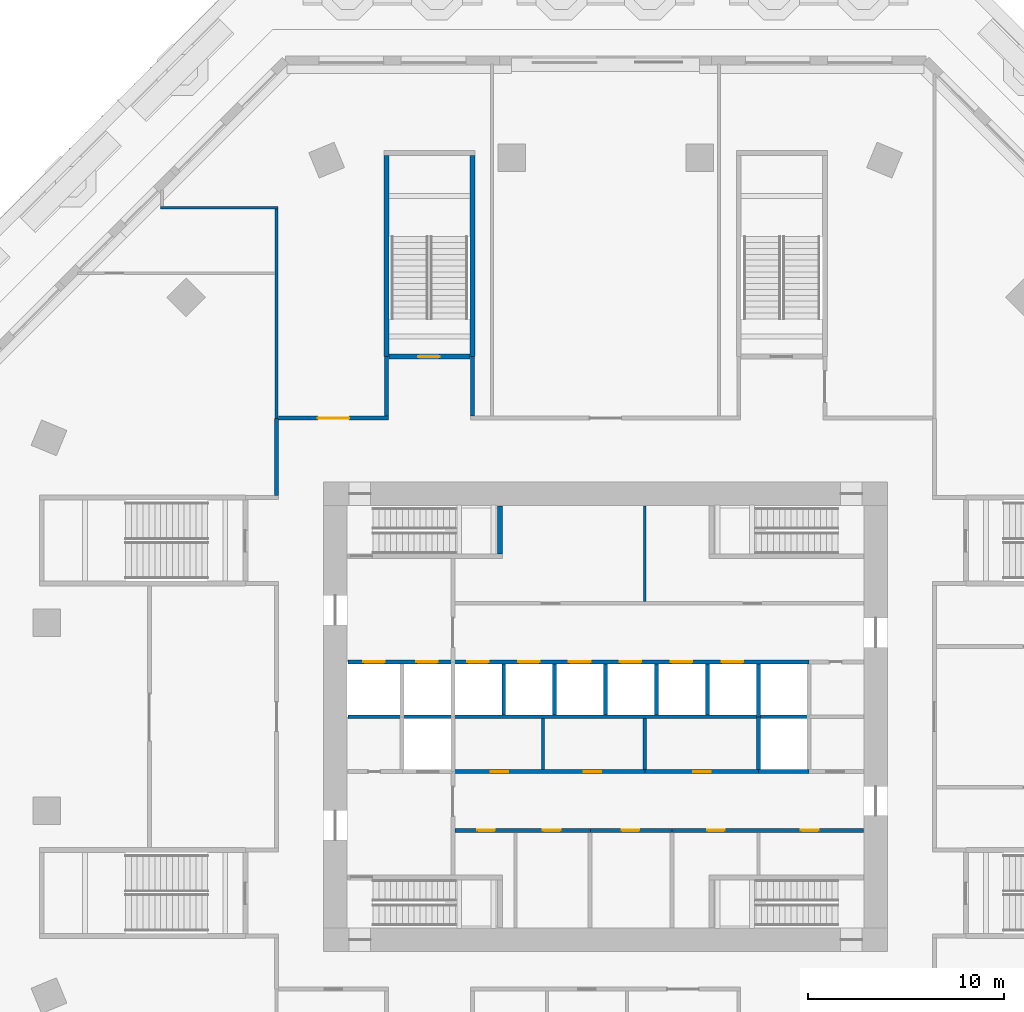
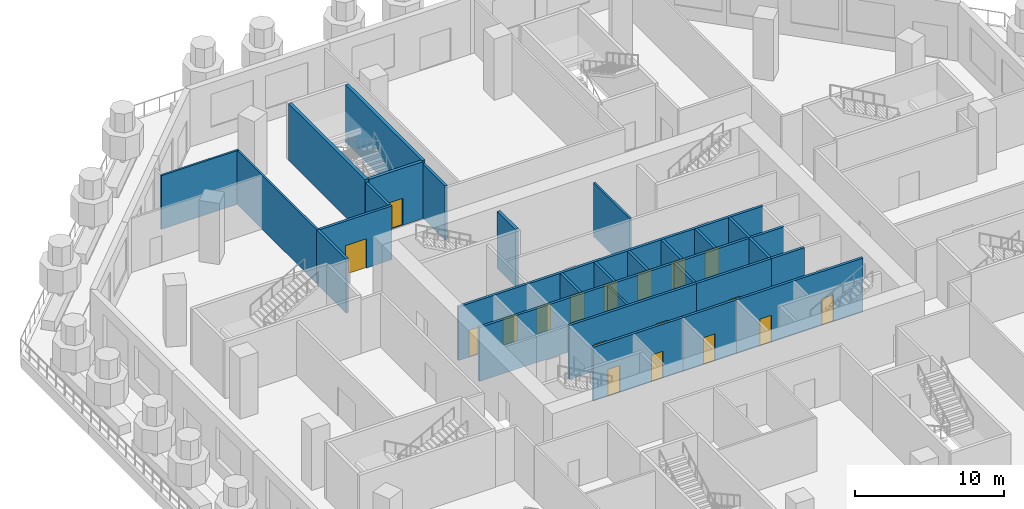
# One storey, part 6 of 13: 28 walls, 18 doors, 18 openings.
"""IFC4 building model written with IfcOpenShell, lengths in metres."""

import ifcopenshell
import ifcopenshell.guid

model = None  # the IFC model being written
_history = None  # IfcOwnerHistory: only IFC2X3 demands one
_inside = {}  # id of a spatial element -> (the spatial element, [elements in it])
_under = {}  # id of a project, library or spatial element -> (it, [spatial elements below it])
_declared = {}  # id of a project -> (the project, [libraries it declares])
_typed = {}  # id of a type object -> (the type object, [elements of that type])
_made_of = {}  # id of a material, layer set ... -> (it, [elements and type objects made of it])


def new_model(schema):
    """Start an empty IFC model of exactly this schema.

    Asked for "IFC4X3", IfcOpenShell would pick the latest addendum, in which some entities
    have other attributes; the version numbers below select the first issue.
    IFC2X3 requires an IfcOwnerHistory on every rooted entity: one is made here for all.
    """
    global model, _history
    if schema == "IFC4X3":
        model = ifcopenshell.file(schema_version=(4, 3, 0, 0))
    else:
        model = ifcopenshell.file(schema=schema)
    _inside.clear()
    _under.clear()
    _declared.clear()
    _typed.clear()
    _made_of.clear()
    _history = None
    if model.schema == "IFC2X3":
        org = make("IfcOrganization", Name="unknown")
        user = make(
            "IfcPersonAndOrganization",
            ThePerson=make("IfcPerson", FamilyName="unknown"),
            TheOrganization=org,
        )
        app = make(
            "IfcApplication",
            ApplicationDeveloper=org,
            Version="unknown",
            ApplicationFullName="unknown",
            ApplicationIdentifier="unknown",
        )
        _history = make(
            "IfcOwnerHistory",
            OwningUser=user,
            OwningApplication=app,
            ChangeAction="ADDED",
            CreationDate=0,
        )
    return model


def make(cls, **values):
    """One entity of the class cls with the attributes given. An attribute that is None is left unset."""
    return model.create_entity(
        cls, **{name: value for name, value in values.items() if value is not None}
    )


def rooted(cls, **values):
    """An entity with a GlobalId (a new one), such as an element, a storey or a relation."""
    return make(cls, GlobalId=ifcopenshell.guid.new(), OwnerHistory=_history, **values)


def si_unit(unit_type, name, prefix=None):
    """IfcSIUnit, for example si_unit("LENGTHUNIT", "METRE", prefix="MILLI")."""
    return make("IfcSIUnit", UnitType=unit_type, Prefix=prefix, Name=name)


def assignment(units):
    """IfcUnitAssignment: the units of a project."""
    return None if units is None else make("IfcUnitAssignment", Units=units)


def point(xyz):
    """IfcCartesianPoint."""
    return None if xyz is None else make("IfcCartesianPoint", Coordinates=xyz)


def direction(xyz):
    """IfcDirection."""
    return None if xyz is None else make("IfcDirection", DirectionRatios=xyz)


def frame(location, z_axis=None, x_axis=None):
    """IfcAxis2Placement3D, a coordinate frame: its origin and axes. An axis left out is left unset."""
    return make(
        "IfcAxis2Placement3D",
        Location=point(location),
        Axis=direction(z_axis),
        RefDirection=direction(x_axis),
    )


def frame_2d(location, x_axis=None):
    """IfcAxis2Placement2D, a coordinate frame in the plane: its origin and x axis."""
    return make(
        "IfcAxis2Placement2D", Location=point(location), RefDirection=direction(x_axis)
    )


def origin():
    """The frame at (0, 0, 0) with its axes left unset."""
    return frame((0.0, 0.0, 0.0))


def place(relative_to, where):
    """IfcLocalPlacement: puts the frame where relative to a parent placement (None: the world)."""
    return make(
        "IfcLocalPlacement", PlacementRelTo=relative_to, RelativePlacement=where
    )


def context(
    kind, dimensions, precision=None, world=None, true_north=None, identifier=None
):
    """IfcGeometricRepresentationContext, for example the 3D "Model" context."""
    return make(
        "IfcGeometricRepresentationContext",
        ContextIdentifier=identifier,
        ContextType=kind,
        CoordinateSpaceDimension=dimensions,
        Precision=precision,
        WorldCoordinateSystem=world,
        TrueNorth=true_north,
    )


def subcontext(parent, identifier, kind, view, scale=None):
    """IfcGeometricRepresentationSubContext, for example "Body" below "Model"."""
    return make(
        "IfcGeometricRepresentationSubContext",
        ContextIdentifier=identifier,
        ContextType=kind,
        ParentContext=parent,
        TargetScale=scale,
        TargetView=view,
    )


def project(units=None, contexts=None):
    """IfcProject with its units and contexts."""
    return rooted(
        "IfcProject",
        Name="project",
        RepresentationContexts=contexts,
        UnitsInContext=assignment(units),
    )


def spatial(cls, under=None, at=None, **own):
    """A site, building, storey or space (cls), placed at a placement, below another one or the project."""
    s = rooted(cls, ObjectPlacement=at, **own)
    if under is not None:
        _under.setdefault(under.id(), (under, []))[1].append(s)
    return s


def profile(cls, at=None, kind="AREA", **sizes):
    """A parametric profile (cls). Its sizes go by their IFC names, for example OverallWidth=200.0."""
    return make(cls, ProfileType=kind, Position=at, **sizes)


def rectangle(**sizes):
    """IfcRectangleProfileDef."""
    return profile("IfcRectangleProfileDef", **sizes)


def extrude(swept, where, along, depth):
    """IfcExtrudedAreaSolid: the profile swept, set in the frame where, extruded along a direction by depth."""
    return make(
        "IfcExtrudedAreaSolid",
        SweptArea=swept,
        Position=where,
        ExtrudedDirection=direction(along),
        Depth=depth,
    )


def shape(context_of_items, identifier, shape_type, items):
    """IfcShapeRepresentation: the items that make up one representation, for example the "Body"."""
    return make(
        "IfcShapeRepresentation",
        ContextOfItems=context_of_items,
        RepresentationIdentifier=identifier,
        RepresentationType=shape_type,
        Items=items,
    )


def material(Name=None, Category=None):
    """IfcMaterial."""
    return make("IfcMaterial", Name=Name, Category=Category)


def layer(
    of_material, thickness, ventilated=None, Name=None, Category=None, Priority=None
):
    """IfcMaterialLayer: one layer of a wall or slab, of a material (None: an air gap)."""
    return make(
        "IfcMaterialLayer",
        Material=of_material,
        LayerThickness=thickness,
        IsVentilated=ventilated,
        Name=Name,
        Category=Category,
        Priority=Priority,
    )


def layer_set(layers, Name=None):
    """IfcMaterialLayerSet."""
    return make("IfcMaterialLayerSet", MaterialLayers=layers, LayerSetName=Name)


def made_of(thing, what):
    """Note that an element or type object is made of a material, layer set ...; save() writes the relation."""
    if what is not None:
        _made_of.setdefault(what.id(), (what, []))[1].append(thing)
    return thing


def type_object(cls, material=None, **own):
    """A type object (cls), such as IfcWallType, which elements share."""
    return made_of(rooted(cls, **own), material)


def element(
    cls,
    number,
    at=None,
    inside=None,
    cuts=None,
    type_object=None,
    material=None,
    context=None,
    identifier="Body",
    shape_type=None,
    held_by="IfcProductDefinitionShape",
    body=None,
    shapes=None,
    **own,
):
    """One element of the class cls, such as IfcWall. Its Tag is "e" and its number.

    at: its placement. inside: the storey or other place that contains it. cuts: it is an
    opening in that element (IfcRelVoidsElement). A single representation is given by context,
    identifier, shape_type and body (its items); several are given by shapes. held_by: the class
    of the entity that holds the representations. save() writes the other relations.
    """
    e = rooted(cls, Tag="e%d" % number, ObjectPlacement=at, **own)
    if body is not None:
        shapes = [shape(context, identifier, shape_type, body)]
    if shapes is not None:
        e.Representation = make(held_by, Representations=shapes)
    if inside is not None:
        _inside.setdefault(inside.id(), (inside, []))[1].append(e)
    if cuts is not None:
        rooted(
            "IfcRelVoidsElement", RelatingBuildingElement=cuts, RelatedOpeningElement=e
        )
    if type_object is not None:
        _typed.setdefault(type_object.id(), (type_object, []))[1].append(e)
    return made_of(e, material)


def fill(opening, filler):
    """IfcRelFillsElement: the door or window that sits in an opening."""
    return rooted(
        "IfcRelFillsElement",
        RelatingOpeningElement=opening,
        RelatedBuildingElement=filler,
    )


def aggregate(whole, parts):
    """IfcRelAggregates: a whole, such as a stair, and the parts it consists of."""
    return rooted("IfcRelAggregates", RelatingObject=whole, RelatedObjects=parts)


def save(model, path):
    """Write the relations noted so far, then the file.

    IfcRelAggregates (storeys below a building ...), IfcRelContainedInSpatialStructure (elements
    in a storey), IfcRelDefinesByType, IfcRelAssociatesMaterial and IfcRelDeclares: one each for
    every whole, place, type object, material and project.
    """
    for whole, parts in _under.values():
        aggregate(whole, parts)
    for where, things in _inside.values():
        rooted(
            "IfcRelContainedInSpatialStructure",
            RelatedElements=things,
            RelatingStructure=where,
        )
    for kind, things in _typed.values():
        rooted("IfcRelDefinesByType", RelatedObjects=things, RelatingType=kind)
    for what, things in _made_of.values():
        rooted("IfcRelAssociatesMaterial", RelatedObjects=things, RelatingMaterial=what)
    for by, libraries in _declared.values():
        rooted("IfcRelDeclares", RelatingContext=by, RelatedDefinitions=libraries)
    model.write(path)


model = new_model("IFC4")

# Units and contexts
model_context = context("Model", 3, precision=1e-05, world=origin(), true_north=direction((0.0, 1.0)))
body_context = subcontext(model_context, "Body", "Model", "MODEL_VIEW")
ifc_project = project(units=[si_unit("LENGTHUNIT", "METRE"), si_unit("AREAUNIT", "SQUARE_METRE"), si_unit("VOLUMEUNIT", "CUBIC_METRE"), si_unit("PLANEANGLEUNIT", "RADIAN"), si_unit("MASSUNIT", "GRAM", prefix="KILO")], contexts=[model_context])

# Site, building, storey
site_placement = place(None, origin())
site = spatial("IfcSite", under=ifc_project, at=site_placement, CompositionType="ELEMENT")
building_placement = place(site_placement, origin())
building = spatial("IfcBuilding", under=site, at=building_placement, Name="Msitu Wima Residences", CompositionType="ELEMENT")
storey_placement = place(building_placement, frame((0.0, 0.0, 16.0)))
storey = spatial("IfcBuildingStorey", under=building, at=storey_placement, Name="L03", CompositionType="ELEMENT", Elevation=16.0)

# Wall
ifc_material_1 = material(Name="Plaster")
ifc_layer_1 = layer(ifc_material_1, 0.011962890625, Name="Plaster")
ifc_material_2 = material(Name="Concrete blockwork", Category="masonry")
ifc_layer_2 = layer(ifc_material_2, 0.176025390625, Name="Concrete blockwork")
ifc_layer_3 = layer(ifc_material_1, 0.011962890625, Name="Plaster")
ifc_layer_set_1 = layer_set([ifc_layer_1, ifc_layer_2, ifc_layer_3], Name="Concrete blockwork")
wall_type_1 = type_object("IfcWallType", Name="Corridor wall FW200", PredefinedType="PARTITIONING", material=ifc_layer_set_1)
wall_1_placement = place(storey_placement, frame((-16.800048828125, 11.300048828125, 0.0), z_axis=(0.0, 0.0, 1.0), x_axis=(0.0, 1.0, 0.0)))
element("IfcWall", 1, at=wall_1_placement, inside=storey, type_object=wall_type_1, Name="Corridor wall", PredefinedType="PARTITIONING", context=body_context, shape_type="SweptSolid", body=[
    extrude(rectangle(XDim=3.936767578125, YDim=0.199951171875, at=frame_2d((1.96826171875, 0.0))), origin(), (0.0, 0.0, 1.0), 4.39990234375),
])

# Wall, opening, door
wall_2_placement = place(storey_placement, frame((-16.699951171875, 15.2568359375, 0.0), z_axis=(0.0, 0.0, 1.0), x_axis=(1.0, 0.0, 0.0)))
wall_2 = element("IfcWall", 2, at=wall_2_placement, inside=storey, type_object=wall_type_1, Name="Corridor wall", PredefinedType="PARTITIONING", context=body_context, shape_type="SweptSolid", body=[
    extrude(rectangle(XDim=5.599853515625, YDim=0.199951171875, at=frame_2d((2.7998046875, 0.0))), origin(), (0.0, 0.0, 1.0), 4.39990234375),
])
opening_1_placement = place(wall_2_placement, frame((2.0, 0.0, 0.0)))
opening_1 = element("IfcOpeningElement", 3, at=opening_1_placement, cuts=wall_2, Name="Opening D03.033", PredefinedType="OPENING", context=body_context, shape_type="SweptSolid", body=[
    extrude(rectangle(XDim=1.60009765625, YDim=2.39990234375, at=frame_2d((0.800048828125, 1.199951171875))), frame((0.0, 0.10986328125, 0.0), z_axis=(0.0, -1.0, 0.0), x_axis=(1.0, 0.0, 0.0)), (0.0, 0.0, 1.0), 0.219970703125),
])
ifc_material_3 = material(Name="Black aluminium glazed door", Category="aluminium")
door_type_1 = type_object("IfcDoorType", Name="Amenity door D10 1600x2400", OperationType="DOUBLE_DOOR_SINGLE_SWING", PredefinedType="DOOR", material=ifc_material_3)
door_1_placement = place(opening_1_placement, origin())
door_1 = element("IfcDoor", 4, at=door_1_placement, inside=storey, type_object=door_type_1, Name="Amenity door", OperationType="DOUBLE_DOOR_SINGLE_SWING", OverallHeight=2.39990234375, OverallWidth=1.60009765625, PredefinedType="DOOR", context=body_context, shape_type="SweptSolid", body=[
    extrude(rectangle(XDim=1.60009765625, YDim=2.39990234375, at=frame_2d((0.800048828125, 1.199951171875))), frame((0.0, 0.02490234375, 0.0), z_axis=(0.0, -1.0, 0.0), x_axis=(1.0, 0.0, 0.0)), (0.0, 0.0, 1.0), 0.050048828125),
])
fill(opening_1, door_1)

# Wall
wall_3_placement = place(storey_placement, frame((-11.199951171875, 15.356689453125, 0.0), z_axis=(0.0, 0.0, 1.0), x_axis=(0.0, 1.0, 0.0)))
element("IfcWall", 5, at=wall_3_placement, inside=storey, type_object=wall_type_1, Name="Corridor wall", PredefinedType="PARTITIONING", context=body_context, shape_type="SweptSolid", body=[
    extrude(rectangle(XDim=3.043212890625, YDim=0.199951171875, at=frame_2d((1.521484375, 0.0))), origin(), (0.0, 0.0, 1.0), 4.39990234375),
])

# Wall, openings, doors
wall_4_placement = place(storey_placement, frame((-7.820068359375, -2.800048828125, 0.0), z_axis=(0.0, 0.0, 1.0), x_axis=(1.0, 0.0, 0.0)))
wall_4 = element("IfcWall", 6, at=wall_4_placement, inside=storey, type_object=wall_type_1, Name="Corridor wall", PredefinedType="PARTITIONING", context=body_context, shape_type="SweptSolid", body=[
    extrude(rectangle(XDim=9.840087890625, YDim=0.199951171875, at=frame_2d((4.919921875, 0.0))), origin(), (0.0, 0.0, 1.0), 4.39990234375),
])
opening_2_placement = place(wall_4_placement, frame((1.949951171875, 0.0, 0.0)))
opening_2 = element("IfcOpeningElement", 7, at=opening_2_placement, cuts=wall_4, Name="Opening D03.021", PredefinedType="OPENING", context=body_context, shape_type="SweptSolid", body=[
    extrude(rectangle(XDim=0.89990234375, YDim=2.199951171875, at=frame_2d((0.449951171875, 1.10009765625))), frame((0.0, 0.10986328125, 0.0), z_axis=(0.0, -1.0, 0.0), x_axis=(1.0, 0.0, 0.0)), (0.0, 0.0, 1.0), 0.219970703125),
])
opening_3_placement = place(wall_4_placement, frame((6.699951171875, 0.0, 0.0)))
opening_3 = element("IfcOpeningElement", 8, at=opening_3_placement, cuts=wall_4, Name="Opening D03.022", PredefinedType="OPENING", context=body_context, shape_type="SweptSolid", body=[
    extrude(rectangle(XDim=0.89990234375, YDim=2.199951171875, at=frame_2d((0.449951171875, 1.10009765625))), frame((0.0, 0.10986328125, 0.0), z_axis=(0.0, -1.0, 0.0), x_axis=(1.0, 0.0, 0.0)), (0.0, 0.0, 1.0), 0.219970703125),
])
ifc_material_4 = material(Name="Timber flush door", Category="wood")
door_type_2 = type_object("IfcDoorType", Name="Service door D05 900x2200", OperationType="SINGLE_SWING_LEFT", PredefinedType="DOOR", material=ifc_material_4)
door_2_placement = place(opening_2_placement, origin())
door_2 = element("IfcDoor", 9, at=door_2_placement, inside=storey, type_object=door_type_2, Name="Service door", OperationType="SINGLE_SWING_RIGHT", OverallHeight=2.199951171875, OverallWidth=0.89990234375, PredefinedType="DOOR", context=body_context, shape_type="SweptSolid", body=[
    extrude(rectangle(XDim=0.89990234375, YDim=2.199951171875, at=frame_2d((0.449951171875, 1.10009765625))), frame((0.0, 0.02490234375, 0.0), z_axis=(0.0, -1.0, 0.0), x_axis=(1.0, 0.0, 0.0)), (0.0, 0.0, 1.0), 0.050048828125),
])
fill(opening_2, door_2)
door_3_placement = place(opening_3_placement, origin())
door_3 = element("IfcDoor", 10, at=door_3_placement, inside=storey, type_object=door_type_2, Name="Service door", OperationType="SINGLE_SWING_LEFT", OverallHeight=2.199951171875, OverallWidth=0.89990234375, PredefinedType="DOOR", context=body_context, shape_type="SweptSolid", body=[
    extrude(rectangle(XDim=0.89990234375, YDim=2.199951171875, at=frame_2d((0.449951171875, 1.10009765625))), frame((0.0, 0.02490234375, 0.0), z_axis=(0.0, -1.0, 0.0), x_axis=(1.0, 0.0, 0.0)), (0.0, 0.0, 1.0), 0.050048828125),
])
fill(opening_3, door_3)

wall_5_placement = place(storey_placement, frame((-7.699951171875, -5.800048828125, 0.0), z_axis=(0.0, 0.0, 1.0), x_axis=(1.0, 0.0, 0.0)))
wall_5 = element("IfcWall", 11, at=wall_5_placement, inside=storey, type_object=wall_type_1, Name="Corridor wall", PredefinedType="PARTITIONING", context=body_context, shape_type="SweptSolid", body=[
    extrude(rectangle(XDim=6.919921875, YDim=0.199951171875, at=frame_2d((3.4599609375, 0.0))), origin(), (0.0, 0.0, 1.0), 4.39990234375),
])
opening_4_placement = place(wall_5_placement, frame((1.14990234375, 0.0, 0.0)))
opening_4 = element("IfcOpeningElement", 12, at=opening_4_placement, cuts=wall_5, Name="Opening D03.014", PredefinedType="OPENING", context=body_context, shape_type="SweptSolid", body=[
    extrude(rectangle(XDim=0.89990234375, YDim=2.199951171875, at=frame_2d((0.449951171875, 1.10009765625))), frame((0.0, 0.10986328125, 0.0), z_axis=(0.0, -1.0, 0.0), x_axis=(1.0, 0.0, 0.0)), (0.0, 0.0, 1.0), 0.219970703125),
])
opening_5_placement = place(wall_5_placement, frame((4.5, 0.0, 0.0)))
opening_5 = element("IfcOpeningElement", 13, at=opening_5_placement, cuts=wall_5, Name="Opening D03.015", PredefinedType="OPENING", context=body_context, shape_type="SweptSolid", body=[
    extrude(rectangle(XDim=0.89990234375, YDim=2.199951171875, at=frame_2d((0.449951171875, 1.10009765625))), frame((0.0, 0.10986328125, 0.0), z_axis=(0.0, -1.0, 0.0), x_axis=(1.0, 0.0, 0.0)), (0.0, 0.0, 1.0), 0.219970703125),
])
door_4_placement = place(opening_4_placement, origin())
door_4 = element("IfcDoor", 14, at=door_4_placement, inside=storey, type_object=door_type_2, Name="Service door", OperationType="SINGLE_SWING_LEFT", OverallHeight=2.199951171875, OverallWidth=0.89990234375, PredefinedType="DOOR", context=body_context, shape_type="SweptSolid", body=[
    extrude(rectangle(XDim=0.89990234375, YDim=2.199951171875, at=frame_2d((0.449951171875, 1.10009765625))), frame((0.0, 0.02490234375, 0.0), z_axis=(0.0, -1.0, 0.0), x_axis=(1.0, 0.0, 0.0)), (0.0, 0.0, 1.0), 0.050048828125),
])
fill(opening_4, door_4)
door_5_placement = place(opening_5_placement, origin())
door_5 = element("IfcDoor", 15, at=door_5_placement, inside=storey, type_object=door_type_2, Name="Service door", OperationType="SINGLE_SWING_RIGHT", OverallHeight=2.199951171875, OverallWidth=0.89990234375, PredefinedType="DOOR", context=body_context, shape_type="SweptSolid", body=[
    extrude(rectangle(XDim=0.89990234375, YDim=2.199951171875, at=frame_2d((0.449951171875, 1.10009765625))), frame((0.0, 0.02490234375, 0.0), z_axis=(0.0, -1.0, 0.0), x_axis=(1.0, 0.0, 0.0)), (0.0, 0.0, 1.0), 0.050048828125),
])
fill(opening_5, door_5)

# Wall
wall_6_placement = place(storey_placement, frame((-6.800048828125, 15.356689453125, 0.0), z_axis=(0.0, 0.0, 1.0), x_axis=(0.0, 1.0, 0.0)))
element("IfcWall", 16, at=wall_6_placement, inside=storey, type_object=wall_type_1, Name="Corridor wall", PredefinedType="PARTITIONING", context=body_context, shape_type="SweptSolid", body=[
    extrude(rectangle(XDim=3.043212890625, YDim=0.199951171875, at=frame_2d((1.521484375, 0.0))), origin(), (0.0, 0.0, 1.0), 4.39990234375),
])

# Wall, openings, doors
wall_7_placement = place(storey_placement, frame((3.3798828125, -5.800048828125, 0.0), z_axis=(0.0, 0.0, 1.0), x_axis=(1.0, 0.0, 0.0)))
wall_7 = element("IfcWall", 17, at=wall_7_placement, inside=storey, type_object=wall_type_1, Name="Corridor wall", PredefinedType="PARTITIONING", context=body_context, shape_type="SweptSolid", body=[
    extrude(rectangle(XDim=9.7900390625, YDim=0.199951171875, at=frame_2d((4.89501953125, 0.0))), origin(), (0.0, 0.0, 1.0), 4.39990234375),
])
opening_6_placement = place(wall_7_placement, frame((1.800048828125, 0.0, 0.0)))
opening_6 = element("IfcOpeningElement", 18, at=opening_6_placement, cuts=wall_7, Name="Opening D03.017", PredefinedType="OPENING", context=body_context, shape_type="SweptSolid", body=[
    extrude(rectangle(XDim=0.89990234375, YDim=2.199951171875, at=frame_2d((0.449951171875, 1.10009765625))), frame((0.0, 0.10986328125, 0.0), z_axis=(0.0, -1.0, 0.0), x_axis=(1.0, 0.0, 0.0)), (0.0, 0.0, 1.0), 0.219970703125),
])
opening_7_placement = place(wall_7_placement, frame((6.60009765625, 0.0, 0.0)))
opening_7 = element("IfcOpeningElement", 19, at=opening_7_placement, cuts=wall_7, Name="Opening D03.018", PredefinedType="OPENING", context=body_context, shape_type="SweptSolid", body=[
    extrude(rectangle(XDim=0.89990234375, YDim=2.199951171875, at=frame_2d((0.449951171875, 1.10009765625))), frame((0.0, 0.10986328125, 0.0), z_axis=(0.0, -1.0, 0.0), x_axis=(1.0, 0.0, 0.0)), (0.0, 0.0, 1.0), 0.219970703125),
])
door_6_placement = place(opening_6_placement, origin())
door_6 = element("IfcDoor", 20, at=door_6_placement, inside=storey, type_object=door_type_2, Name="Service door", OperationType="SINGLE_SWING_LEFT", OverallHeight=2.199951171875, OverallWidth=0.89990234375, PredefinedType="DOOR", context=body_context, shape_type="SweptSolid", body=[
    extrude(rectangle(XDim=0.89990234375, YDim=2.199951171875, at=frame_2d((0.449951171875, 1.10009765625))), frame((0.0, 0.02490234375, 0.0), z_axis=(0.0, -1.0, 0.0), x_axis=(1.0, 0.0, 0.0)), (0.0, 0.0, 1.0), 0.050048828125),
])
fill(opening_6, door_6)
door_7_placement = place(opening_7_placement, origin())
door_7 = element("IfcDoor", 21, at=door_7_placement, inside=storey, type_object=door_type_2, Name="Service door", OperationType="SINGLE_SWING_RIGHT", OverallHeight=2.199951171875, OverallWidth=0.89990234375, PredefinedType="DOOR", context=body_context, shape_type="SweptSolid", body=[
    extrude(rectangle(XDim=0.89990234375, YDim=2.199951171875, at=frame_2d((0.449951171875, 1.10009765625))), frame((0.0, 0.02490234375, 0.0), z_axis=(0.0, -1.0, 0.0), x_axis=(1.0, 0.0, 0.0)), (0.0, 0.0, 1.0), 0.050048828125),
])
fill(opening_7, door_7)

# Walls
ifc_layer_4 = layer(ifc_material_1, 0.011962890625, Name="Plaster")
ifc_layer_5 = layer(ifc_material_2, 0.1259765625, Name="Concrete blockwork")
ifc_layer_6 = layer(ifc_material_1, 0.011962890625, Name="Plaster")
ifc_layer_set_2 = layer_set([ifc_layer_4, ifc_layer_5, ifc_layer_6], Name="Concrete blockwork")
wall_type_2 = type_object("IfcWallType", Name="Partition PW150", PredefinedType="PARTITIONING", material=ifc_layer_set_2)
wall_8_placement = place(storey_placement, frame((-22.73095703125, 26.0, 0.0), z_axis=(0.0, 0.0, 1.0), x_axis=(1.0, 0.0, 0.0)))
element("IfcWall", 22, at=wall_8_placement, inside=storey, type_object=wall_type_2, Name="Partition", PredefinedType="PARTITIONING", context=body_context, shape_type="SweptSolid", body=[
    extrude(rectangle(XDim=6.005859375, YDim=0.14990234375, at=frame_2d((3.0029296875, 0.0))), origin(), (0.0, 0.0, 1.0), 4.39990234375),
])
wall_9_placement = place(storey_placement, frame((-16.800048828125, 15.23681640625, 0.0), z_axis=(0.0, 0.0, 1.0), x_axis=(0.0, 1.0, 0.0)))
element("IfcWall", 23, at=wall_9_placement, inside=storey, type_object=wall_type_2, Name="Partition", PredefinedType="PARTITIONING", context=body_context, shape_type="SweptSolid", body=[
    extrude(rectangle(XDim=10.688232421875, YDim=0.14990234375, at=frame_2d((5.34423828125, 0.0))), origin(), (0.0, 0.0, 1.0), 4.39990234375),
])
wall_10_placement = place(storey_placement, frame((-3.199951171875, -2.699951171875, 0.0), z_axis=(0.0, 0.0, 1.0), x_axis=(0.0, 1.0, 0.0)))
element("IfcWall", 24, at=wall_10_placement, inside=storey, type_object=wall_type_2, Name="Partition", PredefinedType="PARTITIONING", context=body_context, shape_type="SweptSolid", body=[
    extrude(rectangle(XDim=2.599853515625, YDim=0.14990234375, at=frame_2d((1.2998046875, 0.0))), origin(), (0.0, 0.0, 1.0), 4.39990234375),
])
wall_11_placement = place(storey_placement, frame((2.0, 5.89990234375, 0.0), z_axis=(0.0, 0.0, 1.0), x_axis=(0.0, 1.0, 0.0)))
element("IfcWall", 25, at=wall_11_placement, inside=storey, type_object=wall_type_2, Name="Partition", PredefinedType="PARTITIONING", context=body_context, shape_type="SweptSolid", body=[
    extrude(rectangle(XDim=4.8701171875, YDim=0.14990234375, at=frame_2d((2.43505859375, 0.0))), origin(), (0.0, 0.0, 1.0), 4.39990234375),
])

# Wall, opening, door
ifc_layer_7 = layer(ifc_material_1, 0.011962890625, Name="Plaster")
ifc_material_5 = material(Name="Reinforced concrete blockwork", Category="masonry")
ifc_layer_8 = layer(ifc_material_5, 0.176025390625, Name="Reinforced concrete blockwork")
ifc_layer_9 = layer(ifc_material_1, 0.011962890625, Name="Plaster")
ifc_layer_set_3 = layer_set([ifc_layer_7, ifc_layer_8, ifc_layer_9], Name="Reinforced concrete blockwork")
wall_type_3 = type_object("IfcWallType", Name="Plant and riser wall PL200", PredefinedType="PARTITIONING", material=ifc_layer_set_3)
wall_12_placement = place(storey_placement, frame((-0.780029296875, -5.800048828125, 0.0), z_axis=(0.0, 0.0, 1.0), x_axis=(1.0, 0.0, 0.0)))
wall_12 = element("IfcWall", 26, at=wall_12_placement, inside=storey, type_object=wall_type_3, Name="Plant and riser wall", PredefinedType="PARTITIONING", context=body_context, shape_type="SweptSolid", body=[
    extrude(rectangle(XDim=4.159912109375, YDim=0.199951171875, at=frame_2d((2.080078125, 0.0))), origin(), (0.0, 0.0, 1.0), 4.39990234375),
])
opening_8_placement = place(wall_12_placement, frame((1.60009765625, 0.0, 0.0)))
opening_8 = element("IfcOpeningElement", 27, at=opening_8_placement, cuts=wall_12, Name="Opening D03.016", PredefinedType="OPENING", context=body_context, shape_type="SweptSolid", body=[
    extrude(rectangle(XDim=0.89990234375, YDim=2.199951171875, at=frame_2d((0.449951171875, 1.10009765625))), frame((0.0, 0.10986328125, 0.0), z_axis=(0.0, -1.0, 0.0), x_axis=(1.0, 0.0, 0.0)), (0.0, 0.0, 1.0), 0.219970703125),
])
door_8_placement = place(opening_8_placement, origin())
door_8 = element("IfcDoor", 28, at=door_8_placement, inside=storey, type_object=door_type_2, Name="Service door", OperationType="SINGLE_SWING_RIGHT", OverallHeight=2.199951171875, OverallWidth=0.89990234375, PredefinedType="DOOR", context=body_context, shape_type="SweptSolid", body=[
    extrude(rectangle(XDim=0.89990234375, YDim=2.199951171875, at=frame_2d((0.449951171875, 1.10009765625))), frame((0.0, 0.02490234375, 0.0), z_axis=(0.0, -1.0, 0.0), x_axis=(1.0, 0.0, 0.0)), (0.0, 0.0, 1.0), 0.050048828125),
])
fill(opening_8, door_8)

wall_13_placement = place(storey_placement, frame((2.02001953125, -2.800048828125, 0.0), z_axis=(0.0, 0.0, 1.0), x_axis=(1.0, 0.0, 0.0)))
wall_13 = element("IfcWall", 29, at=wall_13_placement, inside=storey, type_object=wall_type_3, Name="Plant and riser wall", PredefinedType="PARTITIONING", context=body_context, shape_type="SweptSolid", body=[
    extrude(rectangle(XDim=5.800048828125, YDim=0.199951171875, at=frame_2d((2.89990234375, 0.0))), origin(), (0.0, 0.0, 1.0), 4.39990234375),
])
opening_9_placement = place(wall_13_placement, frame((2.449951171875, 0.0, 0.0)))
opening_9 = element("IfcOpeningElement", 30, at=opening_9_placement, cuts=wall_13, Name="Opening D03.023", PredefinedType="OPENING", context=body_context, shape_type="SweptSolid", body=[
    extrude(rectangle(XDim=0.89990234375, YDim=2.199951171875, at=frame_2d((0.449951171875, 1.10009765625))), frame((0.0, 0.10986328125, 0.0), z_axis=(0.0, -1.0, 0.0), x_axis=(1.0, 0.0, 0.0)), (0.0, 0.0, 1.0), 0.219970703125),
])
door_9_placement = place(opening_9_placement, origin())
door_9 = element("IfcDoor", 31, at=door_9_placement, inside=storey, type_object=door_type_2, Name="Service door", OperationType="SINGLE_SWING_RIGHT", OverallHeight=2.199951171875, OverallWidth=0.89990234375, PredefinedType="DOOR", context=body_context, shape_type="SweptSolid", body=[
    extrude(rectangle(XDim=0.89990234375, YDim=2.199951171875, at=frame_2d((0.449951171875, 1.10009765625))), frame((0.0, 0.02490234375, 0.0), z_axis=(0.0, -1.0, 0.0), x_axis=(1.0, 0.0, 0.0)), (0.0, 0.0, 1.0), 0.050048828125),
])
fill(opening_9, door_9)

# Walls
wall_14_placement = place(storey_placement, frame((2.0, -2.699951171875, 0.0), z_axis=(0.0, 0.0, 1.0), x_axis=(0.0, 1.0, 0.0)))
element("IfcWall", 32, at=wall_14_placement, inside=storey, type_object=wall_type_3, Name="Plant and riser wall", PredefinedType="PARTITIONING", context=body_context, shape_type="SweptSolid", body=[
    extrude(rectangle(XDim=2.599853515625, YDim=0.199951171875, at=frame_2d((1.2998046875, 0.0))), origin(), (0.0, 0.0, 1.0), 4.39990234375),
])
ifc_material_6 = material(Name="Fire-rated board")
ifc_layer_10 = layer(ifc_material_6, 0.02490234375, Name="Fire-rated board")
ifc_material_7 = material(Name="Light-gauge stud framing with mineral wool")
ifc_layer_11 = layer(ifc_material_7, 0.14990234375, Name="Light-gauge stud framing with mineral wool")
ifc_layer_12 = layer(ifc_material_6, 0.02490234375, Name="Fire-rated board")
ifc_layer_set_4 = layer_set([ifc_layer_10, ifc_layer_11, ifc_layer_12], Name="Light-gauge stud framing with mineral wool")
wall_type_4 = type_object("IfcWallType", Name="Shaft wall SH200", PredefinedType="PARTITIONING", material=ifc_layer_set_4)
wall_15_placement = place(storey_placement, frame((-13.169921875, 0.0, 0.0), z_axis=(0.0, 0.0, 1.0), x_axis=(1.0, 0.0, 0.0)))
element("IfcWall", 33, at=wall_15_placement, inside=storey, type_object=wall_type_4, Name="Shaft wall", PredefinedType="PARTITIONING", context=body_context, shape_type="SweptSolid", body=[
    extrude(rectangle(XDim=23.56982421875, YDim=0.199951171875, at=frame_2d((11.784912109375, 0.0))), origin(), (0.0, 0.0, 1.0), 4.39990234375),
])

# Wall, openings, doors
wall_16_placement = place(storey_placement, frame((-13.169921875, 2.800048828125, 0.0), z_axis=(0.0, 0.0, 1.0), x_axis=(1.0, 0.0, 0.0)))
wall_16 = element("IfcWall", 34, at=wall_16_placement, inside=storey, type_object=wall_type_4, Name="Shaft wall", PredefinedType="PARTITIONING", context=body_context, shape_type="SweptSolid", body=[
    extrude(rectangle(XDim=23.56982421875, YDim=0.199951171875, at=frame_2d((11.784912109375, 0.0))), origin(), (0.0, 0.0, 1.0), 4.39990234375),
])
opening_10_placement = place(wall_16_placement, frame((0.800048828125, 0.0, 0.0)))
opening_10 = element("IfcOpeningElement", 35, at=opening_10_placement, cuts=wall_16, Name="Opening LD", PredefinedType="OPENING", context=body_context, shape_type="SweptSolid", body=[
    extrude(rectangle(XDim=1.10009765625, YDim=2.199951171875, at=frame_2d((0.550048828125, 1.10009765625))), frame((0.0, 0.10986328125, 0.0), z_axis=(0.0, -1.0, 0.0), x_axis=(1.0, 0.0, 0.0)), (0.0, 0.0, 1.0), 0.219970703125),
])
opening_11_placement = place(wall_16_placement, frame((3.5, 0.0, 0.0)))
opening_11 = element("IfcOpeningElement", 36, at=opening_11_placement, cuts=wall_16, Name="Opening LD", PredefinedType="OPENING", context=body_context, shape_type="SweptSolid", body=[
    extrude(rectangle(XDim=1.10009765625, YDim=2.199951171875, at=frame_2d((0.550048828125, 1.10009765625))), frame((0.0, 0.10986328125, 0.0), z_axis=(0.0, -1.0, 0.0), x_axis=(1.0, 0.0, 0.0)), (0.0, 0.0, 1.0), 0.219970703125),
])
opening_12_placement = place(wall_16_placement, frame((6.10009765625, 0.0, 0.0)))
opening_12 = element("IfcOpeningElement", 37, at=opening_12_placement, cuts=wall_16, Name="Opening LD", PredefinedType="OPENING", context=body_context, shape_type="SweptSolid", body=[
    extrude(rectangle(XDim=1.10009765625, YDim=2.199951171875, at=frame_2d((0.550048828125, 1.10009765625))), frame((0.0, 0.10986328125, 0.0), z_axis=(0.0, -1.0, 0.0), x_axis=(1.0, 0.0, 0.0)), (0.0, 0.0, 1.0), 0.219970703125),
])
opening_13_placement = place(wall_16_placement, frame((8.699951171875, 0.0, 0.0)))
opening_13 = element("IfcOpeningElement", 38, at=opening_13_placement, cuts=wall_16, Name="Opening LD", PredefinedType="OPENING", context=body_context, shape_type="SweptSolid", body=[
    extrude(rectangle(XDim=1.10009765625, YDim=2.199951171875, at=frame_2d((0.550048828125, 1.10009765625))), frame((0.0, 0.10986328125, 0.0), z_axis=(0.0, -1.0, 0.0), x_axis=(1.0, 0.0, 0.0)), (0.0, 0.0, 1.0), 0.219970703125),
])
opening_14_placement = place(wall_16_placement, frame((11.300048828125, 0.0, 0.0)))
opening_14 = element("IfcOpeningElement", 39, at=opening_14_placement, cuts=wall_16, Name="Opening LD", PredefinedType="OPENING", context=body_context, shape_type="SweptSolid", body=[
    extrude(rectangle(XDim=1.10009765625, YDim=2.199951171875, at=frame_2d((0.550048828125, 1.10009765625))), frame((0.0, 0.10986328125, 0.0), z_axis=(0.0, -1.0, 0.0), x_axis=(1.0, 0.0, 0.0)), (0.0, 0.0, 1.0), 0.219970703125),
])
opening_15_placement = place(wall_16_placement, frame((13.89990234375, 0.0, 0.0)))
opening_15 = element("IfcOpeningElement", 40, at=opening_15_placement, cuts=wall_16, Name="Opening LD", PredefinedType="OPENING", context=body_context, shape_type="SweptSolid", body=[
    extrude(rectangle(XDim=1.10009765625, YDim=2.199951171875, at=frame_2d((0.550048828125, 1.10009765625))), frame((0.0, 0.10986328125, 0.0), z_axis=(0.0, -1.0, 0.0), x_axis=(1.0, 0.0, 0.0)), (0.0, 0.0, 1.0), 0.219970703125),
])
opening_16_placement = place(wall_16_placement, frame((16.5, 0.0, 0.0)))
opening_16 = element("IfcOpeningElement", 41, at=opening_16_placement, cuts=wall_16, Name="Opening LD", PredefinedType="OPENING", context=body_context, shape_type="SweptSolid", body=[
    extrude(rectangle(XDim=1.10009765625, YDim=2.199951171875, at=frame_2d((0.550048828125, 1.10009765625))), frame((0.0, 0.10986328125, 0.0), z_axis=(0.0, -1.0, 0.0), x_axis=(1.0, 0.0, 0.0)), (0.0, 0.0, 1.0), 0.219970703125),
])
opening_17_placement = place(wall_16_placement, frame((19.10009765625, 0.0, 0.0)))
opening_17 = element("IfcOpeningElement", 42, at=opening_17_placement, cuts=wall_16, Name="Opening LD", PredefinedType="OPENING", context=body_context, shape_type="SweptSolid", body=[
    extrude(rectangle(XDim=1.10009765625, YDim=2.199951171875, at=frame_2d((0.550048828125, 1.10009765625))), frame((0.0, 0.10986328125, 0.0), z_axis=(0.0, -1.0, 0.0), x_axis=(1.0, 0.0, 0.0)), (0.0, 0.0, 1.0), 0.219970703125),
])
ifc_material_8 = material(Name="Stainless steel centre-opening landing door, rated", Category="steel")
door_type_3 = type_object("IfcDoorType", Name="Lift landing door LD 1100x2200", OperationType="DOUBLE_DOOR_SLIDING", PredefinedType="DOOR", material=ifc_material_8)
door_10_placement = place(opening_10_placement, origin())
door_10 = element("IfcDoor", 43, at=door_10_placement, inside=storey, type_object=door_type_3, Name="Lift landing door LD1", OperationType="DOUBLE_DOOR_SLIDING", OverallHeight=2.199951171875, OverallWidth=1.10009765625, PredefinedType="DOOR", context=body_context, shape_type="SweptSolid", body=[
    extrude(rectangle(XDim=1.10009765625, YDim=2.199951171875, at=frame_2d((0.550048828125, 1.10009765625))), frame((0.0, 0.02490234375, 0.0), z_axis=(0.0, -1.0, 0.0), x_axis=(1.0, 0.0, 0.0)), (0.0, 0.0, 1.0), 0.050048828125),
])
fill(opening_10, door_10)
door_11_placement = place(opening_11_placement, origin())
door_11 = element("IfcDoor", 44, at=door_11_placement, inside=storey, type_object=door_type_3, Name="Lift landing door LD2", OperationType="DOUBLE_DOOR_SLIDING", OverallHeight=2.199951171875, OverallWidth=1.10009765625, PredefinedType="DOOR", context=body_context, shape_type="SweptSolid", body=[
    extrude(rectangle(XDim=1.10009765625, YDim=2.199951171875, at=frame_2d((0.550048828125, 1.10009765625))), frame((0.0, 0.02490234375, 0.0), z_axis=(0.0, -1.0, 0.0), x_axis=(1.0, 0.0, 0.0)), (0.0, 0.0, 1.0), 0.050048828125),
])
fill(opening_11, door_11)
door_12_placement = place(opening_12_placement, origin())
door_12 = element("IfcDoor", 45, at=door_12_placement, inside=storey, type_object=door_type_3, Name="Lift landing door LD4", OperationType="DOUBLE_DOOR_SLIDING", OverallHeight=2.199951171875, OverallWidth=1.10009765625, PredefinedType="DOOR", context=body_context, shape_type="SweptSolid", body=[
    extrude(rectangle(XDim=1.10009765625, YDim=2.199951171875, at=frame_2d((0.550048828125, 1.10009765625))), frame((0.0, 0.02490234375, 0.0), z_axis=(0.0, -1.0, 0.0), x_axis=(1.0, 0.0, 0.0)), (0.0, 0.0, 1.0), 0.050048828125),
])
fill(opening_12, door_12)
door_13_placement = place(opening_13_placement, origin())
door_13 = element("IfcDoor", 46, at=door_13_placement, inside=storey, type_object=door_type_3, Name="Lift landing door LD6", OperationType="DOUBLE_DOOR_SLIDING", OverallHeight=2.199951171875, OverallWidth=1.10009765625, PredefinedType="DOOR", context=body_context, shape_type="SweptSolid", body=[
    extrude(rectangle(XDim=1.10009765625, YDim=2.199951171875, at=frame_2d((0.550048828125, 1.10009765625))), frame((0.0, 0.02490234375, 0.0), z_axis=(0.0, -1.0, 0.0), x_axis=(1.0, 0.0, 0.0)), (0.0, 0.0, 1.0), 0.050048828125),
])
fill(opening_13, door_13)
door_14_placement = place(opening_14_placement, origin())
door_14 = element("IfcDoor", 47, at=door_14_placement, inside=storey, type_object=door_type_3, Name="Lift landing door LD8", OperationType="DOUBLE_DOOR_SLIDING", OverallHeight=2.199951171875, OverallWidth=1.10009765625, PredefinedType="DOOR", context=body_context, shape_type="SweptSolid", body=[
    extrude(rectangle(XDim=1.10009765625, YDim=2.199951171875, at=frame_2d((0.550048828125, 1.10009765625))), frame((0.0, 0.02490234375, 0.0), z_axis=(0.0, -1.0, 0.0), x_axis=(1.0, 0.0, 0.0)), (0.0, 0.0, 1.0), 0.050048828125),
])
fill(opening_14, door_14)
door_15_placement = place(opening_15_placement, origin())
door_15 = element("IfcDoor", 48, at=door_15_placement, inside=storey, type_object=door_type_3, Name="Lift landing door LD10", OperationType="DOUBLE_DOOR_SLIDING", OverallHeight=2.199951171875, OverallWidth=1.10009765625, PredefinedType="DOOR", context=body_context, shape_type="SweptSolid", body=[
    extrude(rectangle(XDim=1.10009765625, YDim=2.199951171875, at=frame_2d((0.550048828125, 1.10009765625))), frame((0.0, 0.02490234375, 0.0), z_axis=(0.0, -1.0, 0.0), x_axis=(1.0, 0.0, 0.0)), (0.0, 0.0, 1.0), 0.050048828125),
])
fill(opening_15, door_15)
door_16_placement = place(opening_16_placement, origin())
door_16 = element("IfcDoor", 49, at=door_16_placement, inside=storey, type_object=door_type_3, Name="Lift landing door LD12", OperationType="DOUBLE_DOOR_SLIDING", OverallHeight=2.199951171875, OverallWidth=1.10009765625, PredefinedType="DOOR", context=body_context, shape_type="SweptSolid", body=[
    extrude(rectangle(XDim=1.10009765625, YDim=2.199951171875, at=frame_2d((0.550048828125, 1.10009765625))), frame((0.0, 0.02490234375, 0.0), z_axis=(0.0, -1.0, 0.0), x_axis=(1.0, 0.0, 0.0)), (0.0, 0.0, 1.0), 0.050048828125),
])
fill(opening_16, door_16)
door_17_placement = place(opening_17_placement, origin())
door_17 = element("IfcDoor", 50, at=door_17_placement, inside=storey, type_object=door_type_3, Name="Lift landing door LD14", OperationType="DOUBLE_DOOR_SLIDING", OverallHeight=2.199951171875, OverallWidth=1.10009765625, PredefinedType="DOOR", context=body_context, shape_type="SweptSolid", body=[
    extrude(rectangle(XDim=1.10009765625, YDim=2.199951171875, at=frame_2d((0.550048828125, 1.10009765625))), frame((0.0, 0.02490234375, 0.0), z_axis=(0.0, -1.0, 0.0), x_axis=(1.0, 0.0, 0.0)), (0.0, 0.0, 1.0), 0.050048828125),
])
fill(opening_17, door_17)

# Walls
for number, where, z_axis, x_axis, name in (
    (51, (-5.199951171875, 0.10009765625, 0.0), (0.0, 0.0, 1.0), (0.0, 1.0, 0.0), "Shaft wall"),
    (52, (-2.60009765625, 0.10009765625, 0.0), (0.0, 0.0, 1.0), (0.0, 1.0, 0.0), "Shaft wall"),
    (53, (0.0, 0.10009765625, 0.0), (0.0, 0.0, 1.0), (0.0, 1.0, 0.0), "Shaft wall"),
    (54, (2.60009765625, 0.10009765625, 0.0), (0.0, 0.0, 1.0), (0.0, 1.0, 0.0), "Shaft wall"),
    (55, (5.199951171875, 0.10009765625, 0.0), (0.0, 0.0, 1.0), (0.0, 1.0, 0.0), "Shaft wall"),
):
    element("IfcWall", number, at=place(storey_placement, frame(where, z_axis=z_axis, x_axis=x_axis)), inside=storey, type_object=wall_type_4, Name=name, PredefinedType="PARTITIONING", context=body_context, shape_type="SweptSolid", body=[
        extrude(rectangle(XDim=2.599853515625, YDim=0.199951171875, at=frame_2d((1.2998046875, 0.0))), origin(), (0.0, 0.0, 1.0), 4.39990234375),
    ])
wall_17_placement = place(storey_placement, frame((7.800048828125, -2.699951171875, 0.0), z_axis=(0.0, 0.0, 1.0), x_axis=(0.0, 1.0, 0.0)))
element("IfcWall", 56, at=wall_17_placement, inside=storey, type_object=wall_type_4, Name="Shaft wall", PredefinedType="PARTITIONING", context=body_context, shape_type="SweptSolid", body=[
    extrude(rectangle(XDim=2.699951171875, YDim=0.199951171875, at=frame_2d((1.35009765625, 0.0))), origin(), (0.0, 0.0, 1.0), 4.39990234375),
])
wall_18_placement = place(storey_placement, frame((7.820068359375, -2.800048828125, 0.0), z_axis=(0.0, 0.0, 1.0), x_axis=(1.0, 0.0, 0.0)))
element("IfcWall", 57, at=wall_18_placement, inside=storey, type_object=wall_type_4, Name="Shaft wall", PredefinedType="PARTITIONING", context=body_context, shape_type="SweptSolid", body=[
    extrude(rectangle(XDim=2.559814453125, YDim=0.199951171875, at=frame_2d((1.27978515625, 0.0))), origin(), (0.0, 0.0, 1.0), 4.39990234375),
])
wall_19_placement = place(storey_placement, frame((7.800048828125, 0.0, 0.0), z_axis=(0.0, 0.0, 1.0), x_axis=(0.0, 1.0, 0.0)))
element("IfcWall", 58, at=wall_19_placement, inside=storey, type_object=wall_type_4, Name="Shaft wall", PredefinedType="PARTITIONING", context=body_context, shape_type="SweptSolid", body=[
    extrude(rectangle(XDim=2.699951171875, YDim=0.199951171875, at=frame_2d((1.35009765625, 0.0))), origin(), (0.0, 0.0, 1.0), 4.39990234375),
])
ifc_material_9 = material(Name="Concrete C50/60", Category="concrete")
ifc_layer_13 = layer(ifc_material_9, 0.25)
ifc_layer_set_5 = layer_set([ifc_layer_13], Name="Concrete C50/60")
wall_type_5 = type_object("IfcWallType", Name="Stair enclosure wall SW250", PredefinedType="SHEAR", material=ifc_layer_set_5)
wall_20_placement = place(storey_placement, frame((-11.199951171875, 18.39990234375, 0.0), z_axis=(0.0, 0.0, 1.0), x_axis=(0.0, 1.0, 0.0)))
element("IfcWall", 59, at=wall_20_placement, inside=storey, type_object=wall_type_5, Name="Stair enclosure wall", PredefinedType="SHEAR", context=body_context, shape_type="SweptSolid", body=[
    extrude(rectangle(XDim=10.275146484375, YDim=0.25, at=frame_2d((5.1376953125, 0.0))), origin(), (0.0, 0.0, 1.0), 4.64990234375),
])

# Wall, opening, door
wall_21_placement = place(storey_placement, frame((-11.074951171875, 18.39990234375, 0.0), z_axis=(0.0, 0.0, 1.0), x_axis=(1.0, 0.0, 0.0)))
wall_21 = element("IfcWall", 60, at=wall_21_placement, inside=storey, type_object=wall_type_5, Name="Stair enclosure wall", PredefinedType="SHEAR", context=body_context, shape_type="SweptSolid", body=[
    extrude(rectangle(XDim=4.14990234375, YDim=0.25, at=frame_2d((2.074951171875, 0.0))), origin(), (0.0, 0.0, 1.0), 4.64990234375),
])
opening_18_placement = place(wall_21_placement, frame((1.5, 0.0, 0.0)))
opening_18 = element("IfcOpeningElement", 61, at=opening_18_placement, cuts=wall_21, Name="Opening D03.042", PredefinedType="OPENING", context=body_context, shape_type="SweptSolid", body=[
    extrude(rectangle(XDim=1.10009765625, YDim=2.199951171875, at=frame_2d((0.550048828125, 1.10009765625))), frame((0.0, 0.135009765625, 0.0), z_axis=(0.0, -1.0, 0.0), x_axis=(1.0, 0.0, 0.0)), (0.0, 0.0, 1.0), 0.27001953125),
])
ifc_material_10 = material(Name="Steel door, fire resisting, panic bar", Category="steel")
door_type_4 = type_object("IfcDoorType", Name="Stair door D13 1100x2200", OperationType="SINGLE_SWING_LEFT", PredefinedType="DOOR", material=ifc_material_10)
door_18_placement = place(opening_18_placement, origin())
door_18 = element("IfcDoor", 62, at=door_18_placement, inside=storey, type_object=door_type_4, Name="Stair door", OperationType="SINGLE_SWING_LEFT", OverallHeight=2.199951171875, OverallWidth=1.10009765625, PredefinedType="DOOR", context=body_context, shape_type="SweptSolid", body=[
    extrude(rectangle(XDim=1.10009765625, YDim=2.199951171875, at=frame_2d((0.550048828125, 1.10009765625))), frame((0.0, 0.02490234375, 0.0), z_axis=(0.0, -1.0, 0.0), x_axis=(1.0, 0.0, 0.0)), (0.0, 0.0, 1.0), 0.050048828125),
])
fill(opening_18, door_18)

# Walls
wall_22_placement = place(storey_placement, frame((-6.800048828125, 18.39990234375, 0.0), z_axis=(0.0, 0.0, 1.0), x_axis=(0.0, 1.0, 0.0)))
element("IfcWall", 63, at=wall_22_placement, inside=storey, type_object=wall_type_5, Name="Stair enclosure wall", PredefinedType="SHEAR", context=body_context, shape_type="SweptSolid", body=[
    extrude(rectangle(XDim=10.275146484375, YDim=0.25, at=frame_2d((5.1376953125, 0.0))), origin(), (0.0, 0.0, 1.0), 4.64990234375),
])
wall_23_placement = place(storey_placement, frame((-5.39990234375, 8.324951171875, 0.0), z_axis=(0.0, 0.0, 1.0), x_axis=(0.0, 1.0, 0.0)))
element("IfcWall", 64, at=wall_23_placement, inside=storey, type_object=wall_type_5, Name="Stair enclosure wall", PredefinedType="SHEAR", context=body_context, shape_type="SweptSolid", body=[
    extrude(rectangle(XDim=2.445068359375, YDim=0.25, at=frame_2d((1.22265625, 0.0))), origin(), (0.0, 0.0, 1.0), 4.64990234375),
])

save(model, "model.ifc")
